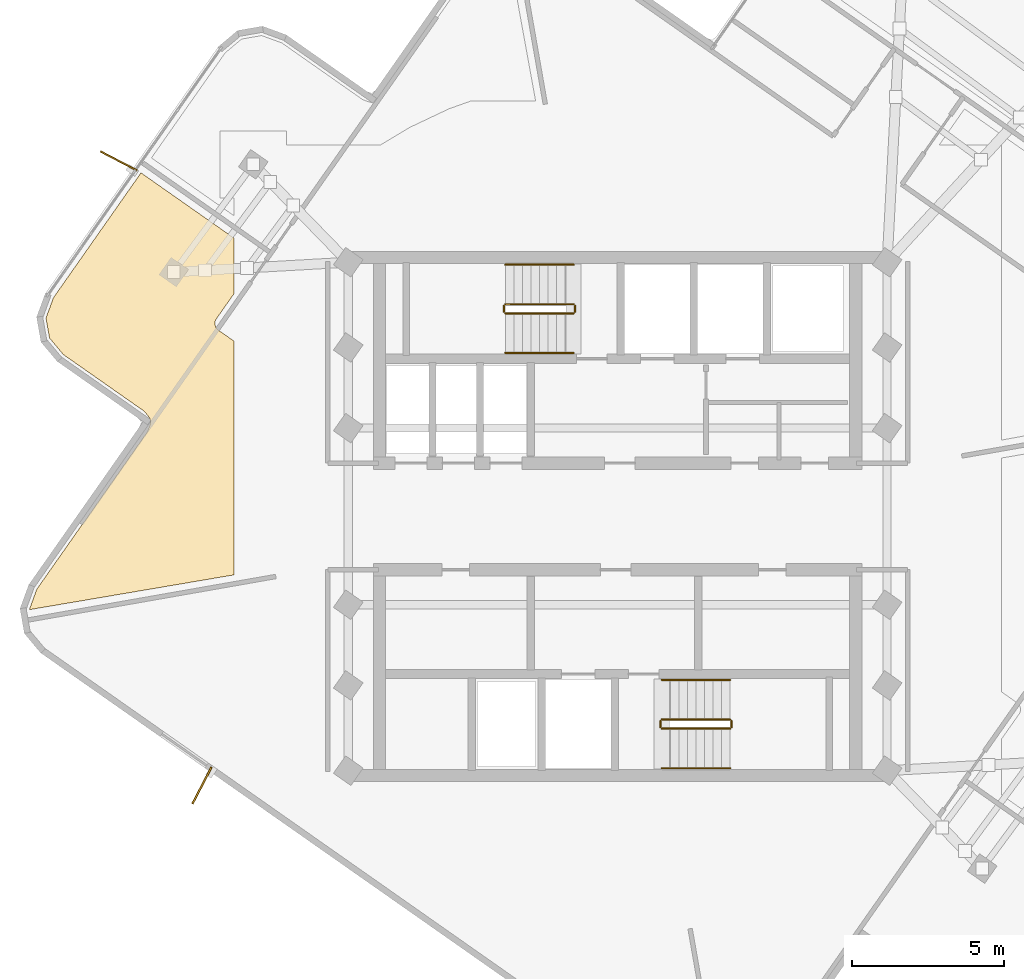
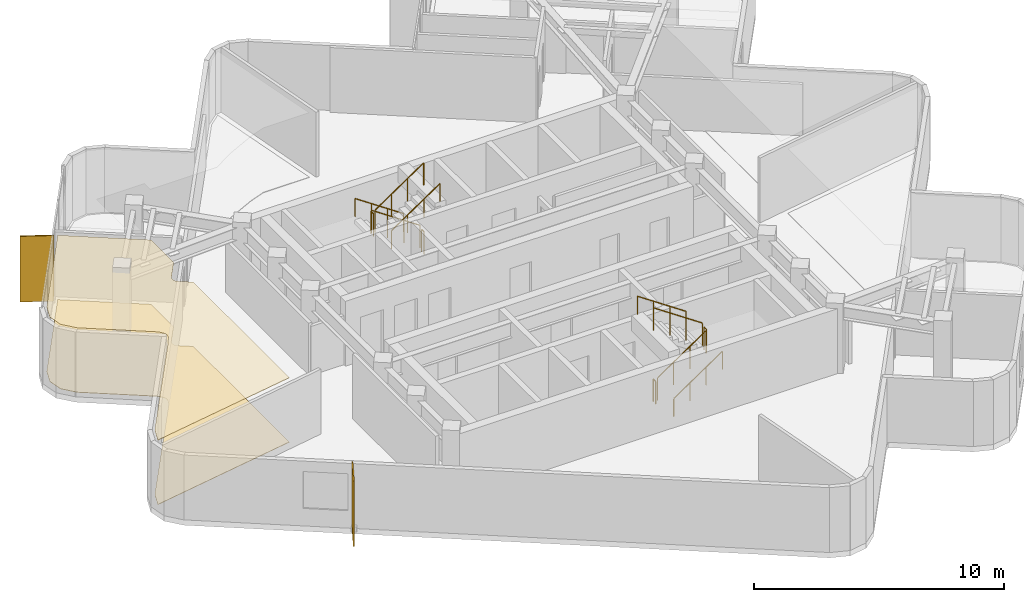
# One storey, part 8 of 9: 12 railings, 2 coverings, 2 shading devices.
"""IFC4 building model written with IfcOpenShell, lengths in metres."""

from ifc_helpers import new_model, si_unit, direction, frame, origin, origin_2d, place, context, subcontext, project, spatial, polyline, rectangle, circle, outline, extrude, material, layer, layer_set, type_object, element, save


model = new_model("IFC4")

# Units and contexts
model_context = context("Model", 3, precision=1e-05, world=origin(), true_north=direction((0.0, 1.0)))
body_context = subcontext(model_context, "Body", "Model", "MODEL_VIEW")
ifc_project = project(units=[si_unit("LENGTHUNIT", "METRE"), si_unit("AREAUNIT", "SQUARE_METRE"), si_unit("VOLUMEUNIT", "CUBIC_METRE"), si_unit("PLANEANGLEUNIT", "RADIAN"), si_unit("MASSUNIT", "GRAM", prefix="KILO")], contexts=[model_context])

# Site, building, storey
site_placement = place(None, origin())
site = spatial("IfcSite", under=ifc_project, at=site_placement, CompositionType="ELEMENT")
building_placement = place(site_placement, origin())
building = spatial("IfcBuilding", under=site, at=building_placement, Name="Solmarez Civic Tower", CompositionType="ELEMENT")
storey_placement = place(building_placement, frame((0.0, 0.0, 268.02001953125)))
storey = spatial("IfcBuildingStorey", under=building, at=storey_placement, Name="L72", CompositionType="ELEMENT", Elevation=268.02001953125)

# Coverings
ifc_material_1 = material(Name="Perforated Mineral-Fibre Acoustic Ceiling")
ifc_layer_1 = layer(ifc_material_1, 0.02490234375)
ifc_layer_set_1 = layer_set([ifc_layer_1], Name="Perforated Mineral-Fibre Acoustic Ceiling")
covering_type_1 = type_object("IfcCoveringType", Name="COV-CEIL-ACOUSTIC", PredefinedType="CEILING", material=ifc_layer_set_1)
covering_1_placement = place(storey_placement, frame((0.0, 0.0, 3.135009765625)))
element("IfcCovering", 1, at=covering_1_placement, inside=storey, type_object=covering_type_1, Name="L72 Suspended Acoustic Ceiling 1", PredefinedType="CEILING", context=body_context, shape_type="SweptSolid", body=[
    extrude(outline(polyline([(-15.35009765625, 3.0830078125), (-15.35107421875, 3.070068359375), (-15.35400390625, 3.049072265625), (-15.35791015625, 3.030029296875), (-15.360107421875, 3.02294921875), (-15.362060546875, 3.01611328125), (-15.366943359375, 3.0009765625), (-15.426025390625, 2.839111328125), (-15.43701171875, 2.81396484375), (-15.446044921875, 2.7958984375), (-15.4560546875, 2.779052734375), (-15.462890625, 2.76904296875), (-19.080078125, -2.388916015625), (-19.322021484375, -3.053955078125), (-19.321044921875, -3.06103515625), (-12.60009765625, -1.9189453125), (-12.60009765625, 5.757080078125), (-13.114013671875, 6.117919921875), (-13.1201171875, 6.1220703125), (-13.1240234375, 6.125), (-13.14208984375, 6.139892578125), (-13.158935546875, 6.157958984375), (-13.1650390625, 6.1650390625), (-13.174072265625, 6.176025390625), (-13.179931640625, 6.18408203125), (-13.19091796875, 6.199951171875), (-13.199951171875, 6.217041015625), (-13.2080078125, 6.23388671875), (-13.2099609375, 6.239013671875), (-13.216064453125, 6.256103515625), (-13.220947265625, 6.27294921875), (-13.222900390625, 6.281982421875), (-13.22412109375, 6.287109375), (-13.22509765625, 6.2919921875), (-13.22802734375, 6.31298828125), (-13.22900390625, 6.3349609375), (-13.22900390625, 6.344970703125), (-13.22802734375, 6.366943359375), (-13.22509765625, 6.387939453125), (-13.22412109375, 6.39306640625), (-13.217041015625, 6.419921875), (-13.214111328125, 6.428955078125), (-13.208984375, 6.44091796875), (-13.20703125, 6.446044921875), (-13.198974609375, 6.462890625), (-13.18994140625, 6.47998046875), (-13.177978515625, 6.4970703125), (-12.60009765625, 7.321044921875), (-12.60009765625, 9.14111328125), (-15.657958984375, 11.285888671875), (-18.534912109375, 7.18310546875), (-18.778076171875, 6.51806640625), (-18.6630859375, 5.860107421875), (-18.2080078125, 5.31689453125), (-15.5859375, 3.47900390625), (-15.569091796875, 3.466064453125), (-15.552001953125, 3.451904296875), (-15.547119140625, 3.447021484375), (-15.529052734375, 3.426025390625), (-15.4189453125, 3.294921875), (-15.4140625, 3.2890625), (-15.39990234375, 3.27001953125), (-15.39599609375, 3.263916015625), (-15.385986328125, 3.2470703125), (-15.376953125, 3.22900390625), (-15.3740234375, 3.221923828125), (-15.37109375, 3.215087890625), (-15.361083984375, 3.18798828125), (-15.35888671875, 3.180908203125), (-15.35498046875, 3.1650390625), (-15.35302734375, 3.14794921875), (-15.35107421875, 3.132080078125), (-15.34912109375, 3.113037109375), (-15.34912109375, 3.093017578125), (-15.35009765625, 3.0830078125)])), origin(), (0.0, 0.0, 1.0), 0.02490234375),
])
ifc_material_2 = material(Name="Polished Tropical Stone Terrazzo Flooring", Category="masonry")
ifc_layer_2 = layer(ifc_material_2, 0.02001953125)
ifc_layer_set_2 = layer_set([ifc_layer_2], Name="Polished Tropical Stone Terrazzo Flooring")
covering_type_2 = type_object("IfcCoveringType", Name="COV-FLOOR-TERRAZZO", PredefinedType="FLOORING", material=ifc_layer_set_2)
covering_2_placement = place(storey_placement, origin())
element("IfcCovering", 2, at=covering_2_placement, inside=storey, type_object=covering_type_2, Name="L72 Terrazzo Floor Finish 1", PredefinedType="FLOORING", context=body_context, shape_type="SweptSolid", body=[
    extrude(outline(polyline([(-15.35009765625, 3.0830078125), (-15.35107421875, 3.070068359375), (-15.35400390625, 3.049072265625), (-15.35791015625, 3.030029296875), (-15.360107421875, 3.02294921875), (-15.362060546875, 3.01611328125), (-15.366943359375, 3.0009765625), (-15.426025390625, 2.839111328125), (-15.43701171875, 2.81396484375), (-15.446044921875, 2.7958984375), (-15.4560546875, 2.779052734375), (-15.462890625, 2.76904296875), (-19.080078125, -2.388916015625), (-19.322021484375, -3.053955078125), (-19.321044921875, -3.06103515625), (-12.60009765625, -1.9189453125), (-12.60009765625, 5.757080078125), (-13.114013671875, 6.117919921875), (-13.1201171875, 6.1220703125), (-13.1240234375, 6.125), (-13.14208984375, 6.139892578125), (-13.158935546875, 6.157958984375), (-13.1650390625, 6.1650390625), (-13.174072265625, 6.176025390625), (-13.179931640625, 6.18408203125), (-13.19091796875, 6.199951171875), (-13.199951171875, 6.217041015625), (-13.2080078125, 6.23388671875), (-13.2099609375, 6.239013671875), (-13.216064453125, 6.256103515625), (-13.220947265625, 6.27294921875), (-13.222900390625, 6.281982421875), (-13.22412109375, 6.287109375), (-13.22509765625, 6.2919921875), (-13.22802734375, 6.31298828125), (-13.22900390625, 6.3349609375), (-13.22900390625, 6.344970703125), (-13.22802734375, 6.366943359375), (-13.22509765625, 6.387939453125), (-13.22412109375, 6.39306640625), (-13.217041015625, 6.419921875), (-13.214111328125, 6.428955078125), (-13.208984375, 6.44091796875), (-13.20703125, 6.446044921875), (-13.198974609375, 6.462890625), (-13.18994140625, 6.47998046875), (-13.177978515625, 6.4970703125), (-12.60009765625, 7.321044921875), (-12.60009765625, 9.14111328125), (-15.657958984375, 11.285888671875), (-18.534912109375, 7.18310546875), (-18.778076171875, 6.51806640625), (-18.6630859375, 5.860107421875), (-18.2080078125, 5.31689453125), (-15.5859375, 3.47900390625), (-15.569091796875, 3.466064453125), (-15.552001953125, 3.451904296875), (-15.547119140625, 3.447021484375), (-15.529052734375, 3.426025390625), (-15.4189453125, 3.294921875), (-15.4140625, 3.2890625), (-15.39990234375, 3.27001953125), (-15.39599609375, 3.263916015625), (-15.385986328125, 3.2470703125), (-15.376953125, 3.22900390625), (-15.3740234375, 3.221923828125), (-15.37109375, 3.215087890625), (-15.361083984375, 3.18798828125), (-15.35888671875, 3.180908203125), (-15.35498046875, 3.1650390625), (-15.35302734375, 3.14794921875), (-15.35107421875, 3.132080078125), (-15.34912109375, 3.113037109375), (-15.34912109375, 3.093017578125), (-15.35009765625, 3.0830078125)])), origin(), (0.0, 0.0, 1.0), 0.02001953125),
])

# Shading devices
ifc_material_3 = material(Name="Bronze Anodised Aluminium EN AW-6063 T6", Category="aluminium")
ifc_layer_3 = layer(ifc_material_3, 0.054931640625)
ifc_layer_set_3 = layer_set([ifc_layer_3], Name="Bronze Anodised Aluminium EN AW-6063 T6")
shading_device_type = type_object("IfcShadingDeviceType", Name="FIN-BRONZE-Z56", PredefinedType="USERDEFINED", material=ifc_layer_set_3)
for number, where, z_axis, x_axis, name in (
    (3, (-13.656005859375, -8.8349609375, -0.0400390625), (0.0, 0.0, 1.0), (-0.462274894729, -0.886736669876, 0.0), "L72 Anodised Bronze Solar Fin FIN-L72-01"),
    (4, (-16.39111328125, 11.677978515625, -0.0400390625), (0.0, 0.0, 1.0), (-0.88674473796, 0.462259418184, 0.0), "L72 Anodised Bronze Solar Fin FIN-L72-02"),
):
    element("IfcShadingDevice", number, at=place(storey_placement, frame(where, z_axis=z_axis, x_axis=x_axis)), inside=storey, type_object=shading_device_type, Name=name, ObjectType="FIN", PredefinedType="USERDEFINED", context=body_context, shape_type="SweptSolid", body=[
        extrude(rectangle(XDim=1.35009765625, YDim=0.054931640625, at=origin_2d()), origin(), (0.0, 0.0, 1.0), 3.199951171875),
    ])

# Railings
ifc_material_4 = material(Name="Painted Steel Stairwell Safety Guard", Category="steel")
railing_type_1 = type_object("IfcRailingType", Name="GUARD-STAIR-1120", PredefinedType="BALUSTRADE", material=ifc_material_4)
railing_1_placement = place(storey_placement, frame((-1.449951171875, 6.969970703125, 0.18994140625)))
element("IfcRailing", 5, at=railing_1_placement, inside=storey, type_object=railing_type_1, Name="L72 ST-1 stair guard 1", PredefinedType="BALUSTRADE", context=body_context, shape_type="SweptSolid", body=[
    extrude(circle(Radius=0.02392578125, at=origin_2d()), frame((0.0, 0.0, 1.09619140625), z_axis=(-0.827471284677, 0.0, 0.561508034703), x_axis=(0.0, -1.0, 0.0)), (0.0, 0.0, 1.0), 2.70703125),
    extrude(circle(Radius=0.02099609375, at=origin_2d()), origin(), (0.0, 0.0, 1.0), 1.072021484375),
    extrude(circle(Radius=0.02099609375, at=origin_2d()), frame((-0.74658203125, 0.0, 0.506591796875)), (0.0, 0.0, 1.0), 1.072021484375),
    extrude(circle(Radius=0.02099609375, at=origin_2d()), frame((-1.493408203125, 0.0, 1.013427734375)), (0.0, 0.0, 1.0), 1.072021484375),
    extrude(circle(Radius=0.02099609375, at=origin_2d()), frame((-2.239990234375, 0.0, 1.52001953125)), (0.0, 0.0, 1.0), 1.072021484375),
])
railing_2_placement = place(storey_placement, frame((-3.739990234375, 6.919921875, 1.7099609375)))
element("IfcRailing", 6, at=railing_2_placement, inside=storey, type_object=railing_type_1, Name="L72 ST-1 stair guard 2", PredefinedType="BALUSTRADE", context=body_context, shape_type="SweptSolid", body=[
    extrude(circle(Radius=0.02392578125, at=origin_2d()), frame((0.0, 0.0, 1.09619140625), z_axis=(0.0, -1.0, 0.0), x_axis=(1.0, 0.0, 0.0)), (0.0, 0.0, 1.0), 0.199951171875),
    extrude(circle(Radius=0.02099609375, at=origin_2d()), origin(), (0.0, 0.0, 1.0), 1.072021484375),
    extrude(circle(Radius=0.02099609375, at=origin_2d()), frame((0.0, -0.199951171875, 0.0)), (0.0, 0.0, 1.0), 1.072021484375),
])
railing_3_placement = place(storey_placement, frame((-3.68994140625, 6.669921875, 1.89990234375)))
element("IfcRailing", 7, at=railing_3_placement, inside=storey, type_object=railing_type_1, Name="L72 ST-1 stair guard 3", PredefinedType="BALUSTRADE", context=body_context, shape_type="SweptSolid", body=[
    extrude(circle(Radius=0.02392578125, at=origin_2d()), frame((0.0, 0.0, 1.09619140625), z_axis=(0.827471284677, 0.0, 0.561508034703), x_axis=(0.0, 1.0, 0.0)), (0.0, 0.0, 1.0), 2.70703125),
    extrude(circle(Radius=0.02099609375, at=origin_2d()), origin(), (0.0, 0.0, 1.0), 1.072021484375),
    extrude(circle(Radius=0.02099609375, at=origin_2d()), frame((0.74658203125, 0.0, 0.506591796875)), (0.0, 0.0, 1.0), 1.072021484375),
    extrude(circle(Radius=0.02099609375, at=origin_2d()), frame((1.493408203125, 0.0, 1.013427734375)), (0.0, 0.0, 1.0), 1.072021484375),
    extrude(circle(Radius=0.02099609375, at=origin_2d()), frame((2.239990234375, 0.0, 1.52001953125)), (0.0, 0.0, 1.0), 1.072021484375),
])
railing_4_placement = place(storey_placement, frame((-1.39990234375, 6.919921875, 0.0)))
element("IfcRailing", 8, at=railing_4_placement, inside=storey, type_object=railing_type_1, Name="L72 ST-1 stair guard 4", PredefinedType="BALUSTRADE", context=body_context, shape_type="SweptSolid", body=[
    extrude(circle(Radius=0.02392578125, at=origin_2d()), frame((0.0, 0.0, 1.09619140625), z_axis=(0.0, -1.0, 0.0), x_axis=(1.0, 0.0, 0.0)), (0.0, 0.0, 1.0), 0.199951171875),
    extrude(circle(Radius=0.02099609375, at=origin_2d()), origin(), (0.0, 0.0, 1.0), 1.072021484375),
    extrude(circle(Radius=0.02099609375, at=origin_2d()), frame((0.0, -0.199951171875, 0.0)), (0.0, 0.0, 1.0), 1.072021484375),
])
railing_5_placement = place(storey_placement, frame((1.449951171875, -6.969970703125, 0.18994140625)))
element("IfcRailing", 9, at=railing_5_placement, inside=storey, type_object=railing_type_1, Name="L72 ST-2 stair guard 1", PredefinedType="BALUSTRADE", context=body_context, shape_type="SweptSolid", body=[
    extrude(circle(Radius=0.02392578125, at=origin_2d()), frame((0.0, 0.0, 1.09619140625), z_axis=(0.827471284677, 0.0, 0.561508034703), x_axis=(0.0, 1.0, 0.0)), (0.0, 0.0, 1.0), 2.70703125),
    extrude(circle(Radius=0.02099609375, at=origin_2d()), origin(), (0.0, 0.0, 1.0), 1.072021484375),
    extrude(circle(Radius=0.02099609375, at=origin_2d()), frame((0.74658203125, 0.0, 0.506591796875)), (0.0, 0.0, 1.0), 1.072021484375),
    extrude(circle(Radius=0.02099609375, at=origin_2d()), frame((1.493408203125, 0.0, 1.013427734375)), (0.0, 0.0, 1.0), 1.072021484375),
    extrude(circle(Radius=0.02099609375, at=origin_2d()), frame((2.239990234375, 0.0, 1.52001953125)), (0.0, 0.0, 1.0), 1.072021484375),
])
railing_6_placement = place(storey_placement, frame((3.739990234375, -6.919921875, 1.7099609375)))
element("IfcRailing", 10, at=railing_6_placement, inside=storey, type_object=railing_type_1, Name="L72 ST-2 stair guard 2", PredefinedType="BALUSTRADE", context=body_context, shape_type="SweptSolid", body=[
    extrude(circle(Radius=0.02392578125, at=origin_2d()), frame((0.0, 0.0, 1.09619140625), z_axis=(0.0, 1.0, 0.0), x_axis=(-1.0, 0.0, 0.0)), (0.0, 0.0, 1.0), 0.199951171875),
    extrude(circle(Radius=0.02099609375, at=origin_2d()), origin(), (0.0, 0.0, 1.0), 1.072021484375),
    extrude(circle(Radius=0.02099609375, at=origin_2d()), frame((0.0, 0.199951171875, 0.0)), (0.0, 0.0, 1.0), 1.072021484375),
])
railing_7_placement = place(storey_placement, frame((3.68994140625, -6.669921875, 1.89990234375)))
element("IfcRailing", 11, at=railing_7_placement, inside=storey, type_object=railing_type_1, Name="L72 ST-2 stair guard 3", PredefinedType="BALUSTRADE", context=body_context, shape_type="SweptSolid", body=[
    extrude(circle(Radius=0.02392578125, at=origin_2d()), frame((0.0, 0.0, 1.09619140625), z_axis=(-0.827471284677, 0.0, 0.561508034703), x_axis=(0.0, -1.0, 0.0)), (0.0, 0.0, 1.0), 2.70703125),
    extrude(circle(Radius=0.02099609375, at=origin_2d()), origin(), (0.0, 0.0, 1.0), 1.072021484375),
    extrude(circle(Radius=0.02099609375, at=origin_2d()), frame((-0.74658203125, 0.0, 0.506591796875)), (0.0, 0.0, 1.0), 1.072021484375),
    extrude(circle(Radius=0.02099609375, at=origin_2d()), frame((-1.493408203125, 0.0, 1.013427734375)), (0.0, 0.0, 1.0), 1.072021484375),
    extrude(circle(Radius=0.02099609375, at=origin_2d()), frame((-2.239990234375, 0.0, 1.52001953125)), (0.0, 0.0, 1.0), 1.072021484375),
])
railing_8_placement = place(storey_placement, frame((1.39990234375, -6.919921875, 0.0)))
element("IfcRailing", 12, at=railing_8_placement, inside=storey, type_object=railing_type_1, Name="L72 ST-2 stair guard 4", PredefinedType="BALUSTRADE", context=body_context, shape_type="SweptSolid", body=[
    extrude(circle(Radius=0.02392578125, at=origin_2d()), frame((0.0, 0.0, 1.09619140625), z_axis=(0.0, 1.0, 0.0), x_axis=(-1.0, 0.0, 0.0)), (0.0, 0.0, 1.0), 0.199951171875),
    extrude(circle(Radius=0.02099609375, at=origin_2d()), origin(), (0.0, 0.0, 1.0), 1.072021484375),
    extrude(circle(Radius=0.02099609375, at=origin_2d()), frame((0.0, 0.199951171875, 0.0)), (0.0, 0.0, 1.0), 1.072021484375),
])
ifc_material_5 = material(Name="Brushed Stainless Steel Tube Handrail", Category="steel")
railing_type_2 = type_object("IfcRailingType", Name="HANDRAIL-STAIR-900", PredefinedType="HANDRAIL", material=ifc_material_5)
railing_9_placement = place(storey_placement, frame((-1.449951171875, 8.27001953125, 0.18994140625)))
element("IfcRailing", 13, at=railing_9_placement, inside=storey, type_object=railing_type_2, Name="L72 ST-1 stair handrail 1", PredefinedType="HANDRAIL", context=body_context, shape_type="SweptSolid", body=[
    extrude(circle(Radius=0.02392578125, at=origin_2d()), frame((0.0, 0.0, 0.8759765625), z_axis=(-0.827471284677, 0.0, 0.561508034703), x_axis=(0.0, -1.0, 0.0)), (0.0, 0.0, 1.0), 2.70703125),
    extrude(circle(Radius=0.02099609375, at=origin_2d()), origin(), (0.0, 0.0, 1.0), 0.851806640625),
    extrude(circle(Radius=0.02099609375, at=origin_2d()), frame((-0.74658203125, 0.0, 0.506591796875)), (0.0, 0.0, 1.0), 0.851806640625),
    extrude(circle(Radius=0.02099609375, at=origin_2d()), frame((-1.493408203125, 0.0, 1.013427734375)), (0.0, 0.0, 1.0), 0.851806640625),
    extrude(circle(Radius=0.02099609375, at=origin_2d()), frame((-2.239990234375, 0.0, 1.52001953125)), (0.0, 0.0, 1.0), 0.851806640625),
])
for number, where, name in (
    (14, (-3.68994140625, 5.3701171875, 1.89990234375), "L72 ST-1 stair handrail 2"),
    (15, (1.449951171875, -8.27001953125, 0.18994140625), "L72 ST-2 stair handrail 1"),
):
    element("IfcRailing", number, at=place(storey_placement, frame(where)), inside=storey, type_object=railing_type_2, Name=name, PredefinedType="HANDRAIL", context=body_context, shape_type="SweptSolid", body=[
        extrude(circle(Radius=0.02392578125, at=origin_2d()), frame((0.0, 0.0, 0.8759765625), z_axis=(0.827471284677, 0.0, 0.561508034703), x_axis=(0.0, 1.0, 0.0)), (0.0, 0.0, 1.0), 2.70703125),
        extrude(circle(Radius=0.02099609375, at=origin_2d()), origin(), (0.0, 0.0, 1.0), 0.851806640625),
        extrude(circle(Radius=0.02099609375, at=origin_2d()), frame((0.74658203125, 0.0, 0.506591796875)), (0.0, 0.0, 1.0), 0.851806640625),
        extrude(circle(Radius=0.02099609375, at=origin_2d()), frame((1.493408203125, 0.0, 1.013427734375)), (0.0, 0.0, 1.0), 0.851806640625),
        extrude(circle(Radius=0.02099609375, at=origin_2d()), frame((2.239990234375, 0.0, 1.52001953125)), (0.0, 0.0, 1.0), 0.851806640625),
    ])
railing_10_placement = place(storey_placement, frame((3.68994140625, -5.3701171875, 1.89990234375)))
element("IfcRailing", 16, at=railing_10_placement, inside=storey, type_object=railing_type_2, Name="L72 ST-2 stair handrail 2", PredefinedType="HANDRAIL", context=body_context, shape_type="SweptSolid", body=[
    extrude(circle(Radius=0.02392578125, at=origin_2d()), frame((0.0, 0.0, 0.8759765625), z_axis=(-0.827471284677, 0.0, 0.561508034703), x_axis=(0.0, -1.0, 0.0)), (0.0, 0.0, 1.0), 2.70703125),
    extrude(circle(Radius=0.02099609375, at=origin_2d()), origin(), (0.0, 0.0, 1.0), 0.851806640625),
    extrude(circle(Radius=0.02099609375, at=origin_2d()), frame((-0.74658203125, 0.0, 0.506591796875)), (0.0, 0.0, 1.0), 0.851806640625),
    extrude(circle(Radius=0.02099609375, at=origin_2d()), frame((-1.493408203125, 0.0, 1.013427734375)), (0.0, 0.0, 1.0), 0.851806640625),
    extrude(circle(Radius=0.02099609375, at=origin_2d()), frame((-2.239990234375, 0.0, 1.52001953125)), (0.0, 0.0, 1.0), 0.851806640625),
])

save(model, "model.ifc")
